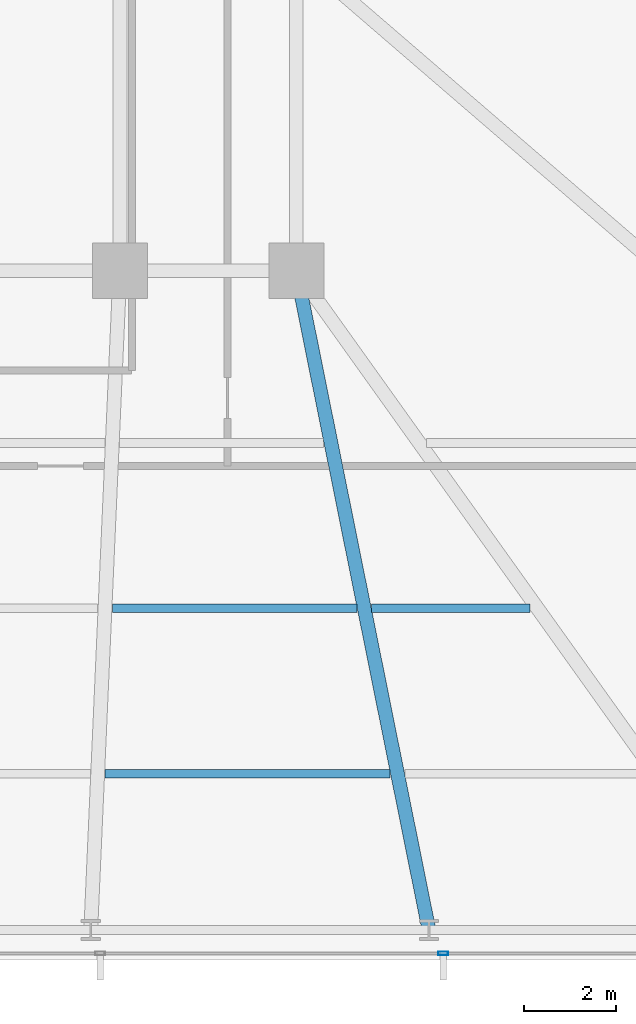
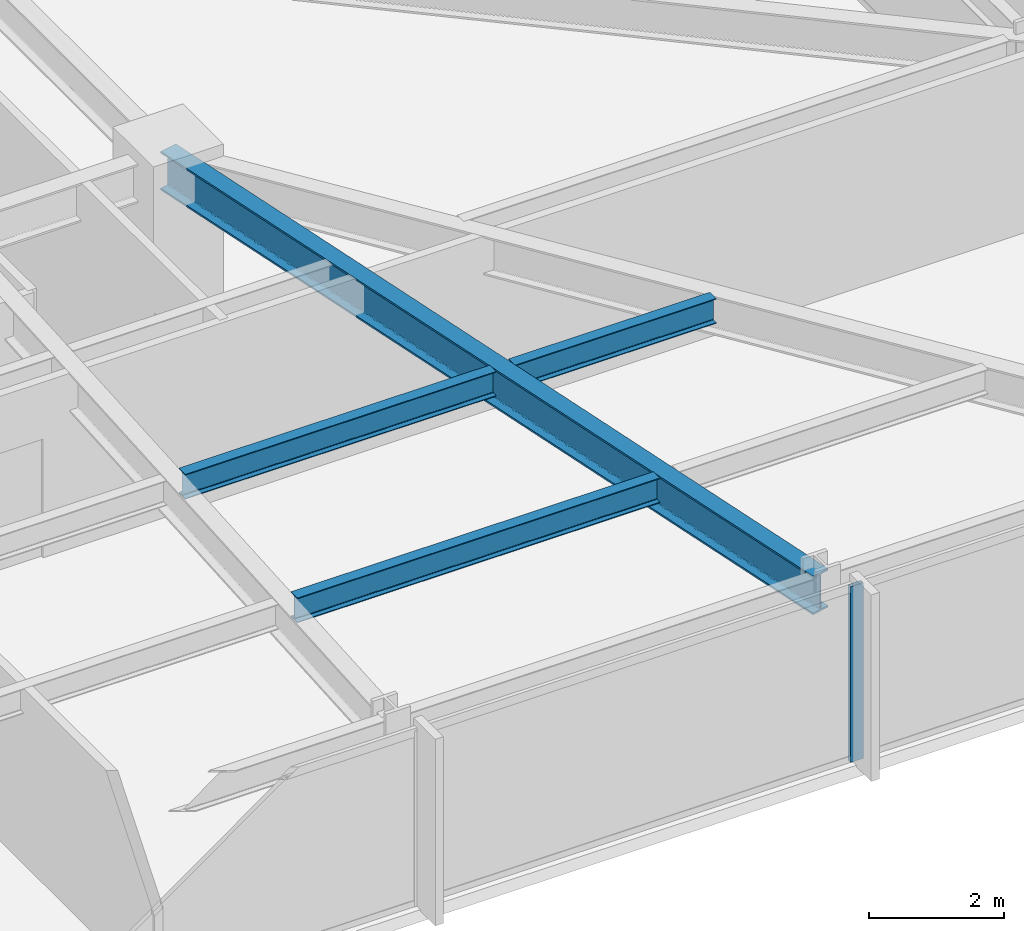
# One storey, part 14 of 32: 4 beams, 1 member, 1 element without a shape of its own.
"""IFC4 building model written with IfcOpenShell, lengths in metres."""

from ifc_helpers import new_model, si_unit, direction, frame, origin, origin_2d, place, context, subcontext, project, spatial, hollow_rectangle, i_section, extrude, material, material_profile, profile_set, type_object, element, aggregate, save


model = new_model("IFC4")

# Units and contexts
model_context = context("Model", 3, precision=1e-05, world=origin(), true_north=direction((0.0, 1.0)))
body_context = subcontext(model_context, "Body", "Model", "MODEL_VIEW")
ifc_project = project(units=[si_unit("LENGTHUNIT", "METRE"), si_unit("AREAUNIT", "SQUARE_METRE"), si_unit("VOLUMEUNIT", "CUBIC_METRE"), si_unit("PLANEANGLEUNIT", "RADIAN"), si_unit("MASSUNIT", "GRAM", prefix="KILO")], contexts=[model_context])

# Site, building, storey
site_placement = place(None, origin())
site = spatial("IfcSite", under=ifc_project, at=site_placement, CompositionType="ELEMENT")
building_placement = place(site_placement, origin())
building = spatial("IfcBuilding", under=site, at=building_placement, Name="Yelkora Congress Tower", CompositionType="ELEMENT")
storey_placement = place(building_placement, frame((0.0, 0.0, 44.0)))
storey = spatial("IfcBuildingStorey", under=building, at=storey_placement, Name="L10", CompositionType="ELEMENT", Elevation=44.0)

# Beams
ifc_material_1 = material(Name="Steel S355J2", Category="steel")
ifc_material_profile_1 = material_profile(ifc_material_1, i_section(OverallWidth=0.300048828125, OverallDepth=0.699951171875, WebThickness=0.01708984375, FlangeThickness=0.031982421875, FilletRadius=0.027099609375, at=origin_2d()), Name="HEB 700")
ifc_profile_set_1 = profile_set([ifc_material_profile_1], Name="Steel S355J2")
beam_type_1 = type_object("IfcBeamType", Name="BM-GIRD-HEB700", PredefinedType="BEAM", material=ifc_profile_set_1)
beam_1_placement = place(storey_placement, frame((60.487548828125, 10.85009765625, 2.830078125), z_axis=(-0.197264295931, 0.980350344291, 0.0), x_axis=(-0.980350344291, -0.197264295931, 0.0)))
element("IfcBeam", 1, at=beam_1_placement, inside=storey, type_object=beam_type_1, Name="L10 Primary Frame Girder S08", PredefinedType="BEAM", context=body_context, shape_type="SweptSolid", body=[
    extrude(i_section(OverallWidth=0.300048828125, OverallDepth=0.699951171875, WebThickness=0.01708984375, FlangeThickness=0.031982421875, FilletRadius=0.027099609375, at=origin_2d()), origin(), (0.0, 0.0, 1.0), 14.637451171875),
])
ifc_material_profile_2 = material_profile(ifc_material_1, i_section(OverallWidth=0.18994140625, OverallDepth=0.449951171875, WebThickness=0.009521484375, FlangeThickness=0.0146484375, FilletRadius=0.02099609375, at=origin_2d()), Name="IPE 450")
ifc_profile_set_2 = profile_set([ifc_material_profile_2], Name="Steel S355J2")
beam_type_2 = type_object("IfcBeamType", Name="BM-JOIST-IPE450", PredefinedType="JOIST", material=ifc_profile_set_2)
beam_2_placement = place(storey_placement, frame((53.435546875, 14.25, 2.955078125), z_axis=(1.0, 0.0, 0.0), x_axis=(0.0, 1.0, 0.0)))
element("IfcBeam", 2, at=beam_2_placement, inside=storey, type_object=beam_type_2, Name="L10 Composite Floor Joist 7", PredefinedType="JOIST", context=body_context, shape_type="SweptSolid", body=[
    extrude(i_section(OverallWidth=0.18994140625, OverallDepth=0.449951171875, WebThickness=0.009521484375, FlangeThickness=0.0146484375, FilletRadius=0.02099609375, at=origin_2d()), origin(), (0.0, 0.0, 1.0), 6.207763671875),
])
beam_3_placement = place(storey_placement, frame((53.5947265625, 17.85009765625, 2.955078125), z_axis=(1.0, 0.0, 0.0), x_axis=(0.0, 1.0, 0.0)))
element("IfcBeam", 3, at=beam_3_placement, inside=storey, type_object=beam_type_2, Name="L10 Composite Floor Joist 15", PredefinedType="JOIST", context=body_context, shape_type="SweptSolid", body=[
    extrude(i_section(OverallWidth=0.18994140625, OverallDepth=0.449951171875, WebThickness=0.009521484375, FlangeThickness=0.0146484375, FilletRadius=0.02099609375, at=origin_2d()), origin(), (0.0, 0.0, 1.0), 5.32421875),
])
beam_4_placement = place(storey_placement, frame((59.239013671875, 17.85009765625, 2.955078125), z_axis=(1.0, 0.0, 0.0), x_axis=(0.0, 1.0, 0.0)))
element("IfcBeam", 4, at=beam_4_placement, inside=storey, type_object=beam_type_2, Name="L10 Composite Floor Joist 16", PredefinedType="JOIST", context=body_context, shape_type="SweptSolid", body=[
    extrude(i_section(OverallWidth=0.18994140625, OverallDepth=0.449951171875, WebThickness=0.009521484375, FlangeThickness=0.0146484375, FilletRadius=0.02099609375, at=origin_2d()), origin(), (0.0, 0.0, 1.0), 3.450927734375),
])

# Curtain wall, member
ifc_material_2 = material(Name="Anodised aluminium and insulated glass", Category="aluminium")
curtain_wall_type = type_object("IfcCurtainWallType", Name="CW-SYS-B1", PredefinedType="NOTDEFINED", material=ifc_material_2)
curtain_wall_placement = place(storey_placement, origin())
curtain_wall = element("IfcCurtainWall", 5, at=curtain_wall_placement, inside=storey, type_object=curtain_wall_type, Name="L10 Unitised Curtain Wall 20", PredefinedType="NOTDEFINED")
ifc_material_3 = material(Name="Anodised aluminium 6063-T6", Category="aluminium")
ifc_material_profile_3 = material_profile(ifc_material_3, hollow_rectangle(XDim=0.074951171875, YDim=0.219970703125, WallThickness=0.0048828125, at=origin_2d()), Name="ALU 75x220x5")
ifc_profile_set_3 = profile_set([ifc_material_profile_3], Name="Anodised aluminium 6063-T6")
member_type = type_object("IfcMemberType", Name="MEM-ML-B1", PredefinedType="MULLION", material=ifc_profile_set_3)
member_placement = place(storey_placement, frame((60.794921875, 10.340087890625, 0.0), z_axis=(0.0, 0.0, 1.0), x_axis=(0.0, -1.0, 0.0)))
member = element("IfcMember", 6, at=member_placement, type_object=member_type, Name="CW-B1 mullion 2", PredefinedType="MULLION", context=body_context, shape_type="SweptSolid", body=[
    extrude(hollow_rectangle(XDim=0.074951171875, YDim=0.219970703125, WallThickness=0.0048828125, at=origin_2d()), origin(), (0.0, 0.0, 1.0), 3.179931640625),
])
aggregate(curtain_wall, [member])

save(model, "model.ifc")
